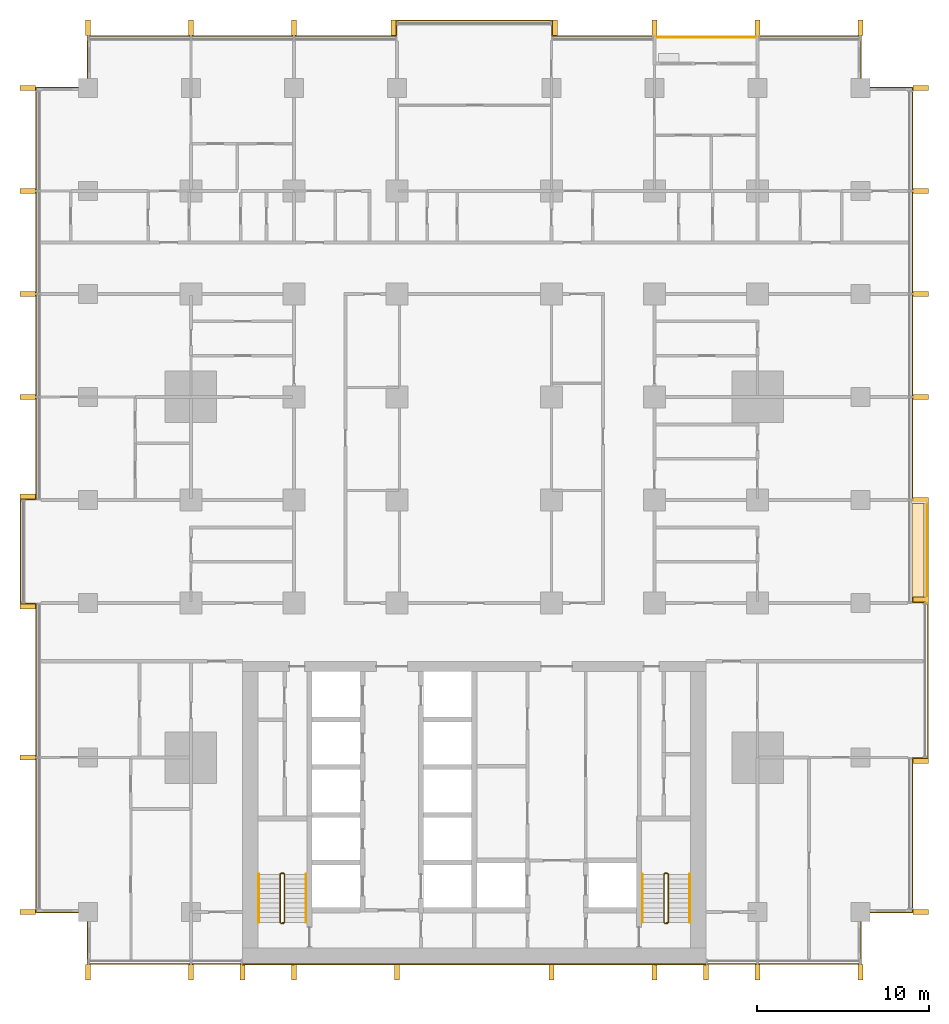
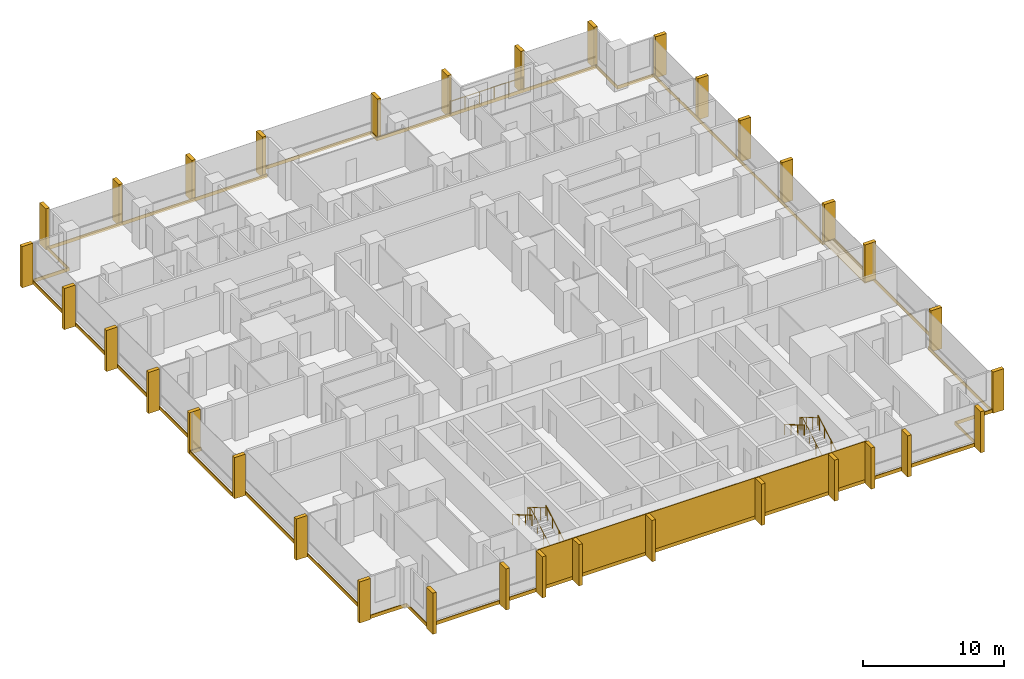
# One storey, part 18 of 18: 34 shading devices, 8 coverings, 7 railings.
"""IFC4 building model written with IfcOpenShell, lengths in metres."""

from ifc_helpers import new_model, si_unit, direction, frame, origin, origin_2d, place, context, subcontext, project, spatial, polyline, rectangle, circle, outline, extrude, material, layer, layer_set, type_object, element, save


model = new_model("IFC4")

# Units and contexts
model_context = context("Model", 3, precision=1e-05, world=origin(), true_north=direction((0.0, 1.0)))
body_context = subcontext(model_context, "Body", "Model", "MODEL_VIEW")
ifc_project = project(units=[si_unit("LENGTHUNIT", "METRE"), si_unit("AREAUNIT", "SQUARE_METRE"), si_unit("VOLUMEUNIT", "CUBIC_METRE"), si_unit("PLANEANGLEUNIT", "RADIAN"), si_unit("MASSUNIT", "GRAM", prefix="KILO")], contexts=[model_context])

# Site, building, storey
site_placement = place(None, origin())
site = spatial("IfcSite", under=ifc_project, at=site_placement, CompositionType="ELEMENT")
building_placement = place(site_placement, origin())
building = spatial("IfcBuilding", under=site, at=building_placement, Name="Finial Court Residences", CompositionType="ELEMENT")
storey_placement = place(building_placement, frame((0.0, 0.0, 46.89990234375)))
storey = spatial("IfcBuildingStorey", under=building, at=storey_placement, Name="L10", CompositionType="ELEMENT", Elevation=46.89990234375)

# Railing
ifc_material_1 = material(Name="Bronze anodised aluminium", Category="aluminium")
railing_type_1 = type_object("IfcRailingType", Name="Balcony guard 1100", PredefinedType="GUARDRAIL", material=ifc_material_1)
railing_1_placement = place(storey_placement, frame((10.5, 28.449951171875, 0.0)))
element("IfcRailing", 1, at=railing_1_placement, inside=storey, type_object=railing_type_1, Name="E-L10-BALN6-R", PredefinedType="GUARDRAIL", context=body_context, shape_type="SweptSolid", body=[
    extrude(circle(Radius=0.02392578125, at=origin_2d()), frame((0.0, 0.0, 1.076171875), z_axis=(1.0, 0.0, 0.0), x_axis=(0.0, 1.0, 0.0)), (0.0, 0.0, 1.0), 6.0),
    extrude(circle(Radius=0.02099609375, at=origin_2d()), origin(), (0.0, 0.0, 1.0), 1.052001953125),
    extrude(circle(Radius=0.02099609375, at=origin_2d()), frame((1.199951171875, 0.0, 0.0)), (0.0, 0.0, 1.0), 1.052001953125),
    extrude(circle(Radius=0.02099609375, at=origin_2d()), frame((2.39990234375, 0.0, 0.0)), (0.0, 0.0, 1.0), 1.052001953125),
    extrude(circle(Radius=0.02099609375, at=origin_2d()), frame((3.60009765625, 0.0, 0.0)), (0.0, 0.0, 1.0), 1.052001953125),
    extrude(circle(Radius=0.02099609375, at=origin_2d()), frame((4.800048828125, 0.0, 0.0)), (0.0, 0.0, 1.0), 1.052001953125),
    extrude(circle(Radius=0.02099609375, at=origin_2d()), frame((6.0, 0.0, 0.0)), (0.0, 0.0, 1.0), 1.052001953125),
])

# Coverings
ifc_material_2 = material(Name="Natural limestone", Category="masonry")
ifc_layer_1 = layer(ifc_material_2, 0.06005859375)
ifc_layer_set_1 = layer_set([ifc_layer_1], Name="Limestone cladding to the blind core face 60")
covering_type_1 = type_object("IfcCoveringType", Name="Limestone cladding to the blind core face 60", PredefinedType="CLADDING", material=ifc_layer_set_1)
covering_1_placement = place(storey_placement, origin())
element("IfcCovering", 2, at=covering_1_placement, inside=storey, type_object=covering_type_1, Name="E-L10-CLAD1", PredefinedType="CLADDING", context=body_context, shape_type="SweptSolid", body=[
    extrude(outline(polyline([(-10.5, -25.56005859375), (-10.5, -25.5), (-13.5, -25.5), (-13.5, -25.56005859375), (-10.5, -25.56005859375)])), origin(), (0.0, 0.0, 1.0), 3.300048828125),
])
covering_2_placement = place(storey_placement, origin())
element("IfcCovering", 3, at=covering_2_placement, inside=storey, type_object=covering_type_1, Name="E-L10-CLAD2", PredefinedType="CLADDING", context=body_context, shape_type="SweptSolid", body=[
    extrude(outline(polyline([(-4.5, -25.56005859375), (-4.5, -25.5), (-10.5, -25.5), (-10.5, -25.56005859375), (-4.5, -25.56005859375)])), origin(), (0.0, 0.0, 1.0), 3.300048828125),
])
covering_3_placement = place(storey_placement, origin())
element("IfcCovering", 4, at=covering_3_placement, inside=storey, type_object=covering_type_1, Name="E-L10-CLAD3", PredefinedType="CLADDING", context=body_context, shape_type="SweptSolid", body=[
    extrude(outline(polyline([(4.5, -25.56005859375), (4.5, -25.5), (-4.5, -25.5), (-4.5, -25.56005859375), (4.5, -25.56005859375)])), origin(), (0.0, 0.0, 1.0), 3.300048828125),
])
covering_4_placement = place(storey_placement, origin())
element("IfcCovering", 5, at=covering_4_placement, inside=storey, type_object=covering_type_1, Name="E-L10-CLAD4", PredefinedType="CLADDING", context=body_context, shape_type="SweptSolid", body=[
    extrude(outline(polyline([(10.5, -25.56005859375), (10.5, -25.5), (4.5, -25.5), (4.5, -25.56005859375), (10.5, -25.56005859375)])), origin(), (0.0, 0.0, 1.0), 3.300048828125),
])
covering_5_placement = place(storey_placement, origin())
element("IfcCovering", 6, at=covering_5_placement, inside=storey, type_object=covering_type_1, Name="E-L10-CLAD5", PredefinedType="CLADDING", context=body_context, shape_type="SweptSolid", body=[
    extrude(outline(polyline([(13.5, -25.56005859375), (13.5, -25.5), (10.5, -25.5), (10.5, -25.56005859375), (13.5, -25.56005859375)])), origin(), (0.0, 0.0, 1.0), 3.300048828125),
])

# Shading devices
shading_device_type = type_object("IfcShadingDeviceType", Name="Limestone fin 300 x 900", PredefinedType="USERDEFINED", material=ifc_material_2)
for number, where, z_axis, x_axis, name in (
    (7, (-22.5, 29.010009765625, -0.300048828125), (0.0, 0.0, 1.0), (1.0, 0.0, 0.0), "E-L10-FIN-N1"),
    (8, (-16.5, 29.010009765625, -0.300048828125), (0.0, 0.0, 1.0), (1.0, 0.0, 0.0), "E-L10-FIN-N2"),
    (9, (-10.5, 29.010009765625, -0.300048828125), (0.0, 0.0, 1.0), (1.0, 0.0, 0.0), "E-L10-FIN-N3"),
    (10, (-4.7099609375, 29.010009765625, -0.300048828125), (0.0, 0.0, 1.0), (1.0, 0.0, 0.0), "E-L10-FIN-N4"),
    (11, (4.7099609375, 29.010009765625, -0.300048828125), (0.0, 0.0, 1.0), (1.0, 0.0, 0.0), "E-L10-FIN-N5"),
    (12, (10.5, 29.010009765625, -0.300048828125), (0.0, 0.0, 1.0), (1.0, 0.0, 0.0), "E-L10-FIN-N6"),
    (13, (16.5, 29.010009765625, -0.300048828125), (0.0, 0.0, 1.0), (1.0, 0.0, 0.0), "E-L10-FIN-N7"),
    (14, (22.5, 29.010009765625, -0.300048828125), (0.0, 0.0, 1.0), (1.0, 0.0, 0.0), "E-L10-FIN-N8"),
):
    element("IfcShadingDevice", number, at=place(storey_placement, frame(where, z_axis=z_axis, x_axis=x_axis)), inside=storey, type_object=shading_device_type, Name=name, ObjectType="FIN", PredefinedType="USERDEFINED", context=body_context, shape_type="SweptSolid", body=[
        extrude(rectangle(XDim=0.300048828125, YDim=0.89990234375, at=origin_2d()), origin(), (0.0, 0.0, 1.0), 3.580078125),
    ])
for number, where, z_axis, x_axis, name in (
    (15, (26.010009765625, -22.5, -0.300048828125), (0.0, 0.0, 1.0), (1.0, 0.0, 0.0), "E-L10-FIN-E9"),
    (16, (26.010009765625, -13.7099609375, -0.300048828125), (0.0, 0.0, 1.0), (1.0, 0.0, 0.0), "E-L10-FIN-E10"),
):
    element("IfcShadingDevice", number, at=place(storey_placement, frame(where, z_axis=z_axis, x_axis=x_axis)), inside=storey, type_object=shading_device_type, Name=name, ObjectType="FIN", PredefinedType="USERDEFINED", context=body_context, shape_type="SweptSolid", body=[
        extrude(rectangle(XDim=0.89990234375, YDim=0.300048828125, at=origin_2d()), origin(), (0.0, 0.0, 1.0), 3.580078125),
    ])
for number, where, z_axis, x_axis, name in (
    (17, (26.010009765625, -4.2900390625, 0.0400390625), (0.0, 0.0, 1.0), (1.0, 0.0, 0.0), "E-L10-FIN-E11"),
    (18, (26.010009765625, 1.5, 0.0400390625), (0.0, 0.0, 1.0), (1.0, 0.0, 0.0), "E-L10-FIN-E12"),
):
    element("IfcShadingDevice", number, at=place(storey_placement, frame(where, z_axis=z_axis, x_axis=x_axis)), inside=storey, type_object=shading_device_type, Name=name, ObjectType="FIN", PredefinedType="USERDEFINED", context=body_context, shape_type="SweptSolid", body=[
        extrude(rectangle(XDim=0.89990234375, YDim=0.300048828125, at=origin_2d()), origin(), (0.0, 0.0, 1.0), 3.239990234375),
    ])
for number, where, z_axis, x_axis, name in (
    (19, (26.010009765625, 7.5, -0.300048828125), (0.0, 0.0, 1.0), (1.0, 0.0, 0.0), "E-L10-FIN-E13"),
    (20, (26.010009765625, 13.5, -0.300048828125), (0.0, 0.0, 1.0), (1.0, 0.0, 0.0), "E-L10-FIN-E14"),
    (21, (26.010009765625, 19.5, -0.300048828125), (0.0, 0.0, 1.0), (1.0, 0.0, 0.0), "E-L10-FIN-E15"),
    (22, (26.010009765625, 25.5, -0.300048828125), (0.0, 0.0, 1.0), (1.0, 0.0, 0.0), "E-L10-FIN-E16"),
):
    element("IfcShadingDevice", number, at=place(storey_placement, frame(where, z_axis=z_axis, x_axis=x_axis)), inside=storey, type_object=shading_device_type, Name=name, ObjectType="FIN", PredefinedType="USERDEFINED", context=body_context, shape_type="SweptSolid", body=[
        extrude(rectangle(XDim=0.89990234375, YDim=0.300048828125, at=origin_2d()), origin(), (0.0, 0.0, 1.0), 3.580078125),
    ])
for number, where, z_axis, x_axis, name in (
    (23, (-22.5, -26.010009765625, -0.300048828125), (0.0, 0.0, 1.0), (1.0, 0.0, 0.0), "E-L10-FIN-S17"),
    (24, (-16.5, -26.010009765625, -0.300048828125), (0.0, 0.0, 1.0), (1.0, 0.0, 0.0), "E-L10-FIN-S18"),
    (25, (-13.5, -26.010009765625, -0.300048828125), (0.0, 0.0, 1.0), (1.0, 0.0, 0.0), "E-L10-FIN-S19"),
    (26, (-10.5, -26.010009765625, -0.300048828125), (0.0, 0.0, 1.0), (1.0, 0.0, 0.0), "E-L10-FIN-S20"),
    (27, (-4.5, -26.010009765625, -0.300048828125), (0.0, 0.0, 1.0), (1.0, 0.0, 0.0), "E-L10-FIN-S21"),
    (28, (4.5, -26.010009765625, -0.300048828125), (0.0, 0.0, 1.0), (1.0, 0.0, 0.0), "E-L10-FIN-S22"),
    (29, (10.5, -26.010009765625, -0.300048828125), (0.0, 0.0, 1.0), (1.0, 0.0, 0.0), "E-L10-FIN-S23"),
    (30, (13.5, -26.010009765625, -0.300048828125), (0.0, 0.0, 1.0), (1.0, 0.0, 0.0), "E-L10-FIN-S24"),
    (31, (16.5, -26.010009765625, -0.300048828125), (0.0, 0.0, 1.0), (1.0, 0.0, 0.0), "E-L10-FIN-S25"),
    (32, (22.5, -26.010009765625, -0.300048828125), (0.0, 0.0, 1.0), (1.0, 0.0, 0.0), "E-L10-FIN-S26"),
):
    element("IfcShadingDevice", number, at=place(storey_placement, frame(where, z_axis=z_axis, x_axis=x_axis)), inside=storey, type_object=shading_device_type, Name=name, ObjectType="FIN", PredefinedType="USERDEFINED", context=body_context, shape_type="SweptSolid", body=[
        extrude(rectangle(XDim=0.300048828125, YDim=0.89990234375, at=origin_2d()), origin(), (0.0, 0.0, 1.0), 3.580078125),
    ])
for number, where, z_axis, x_axis, name in (
    (33, (-26.010009765625, -22.5, -0.300048828125), (0.0, 0.0, 1.0), (1.0, 0.0, 0.0), "E-L10-FIN-W27"),
    (34, (-26.010009765625, -13.5, -0.300048828125), (0.0, 0.0, 1.0), (1.0, 0.0, 0.0), "E-L10-FIN-W28"),
    (35, (-26.010009765625, -4.7099609375, -0.300048828125), (0.0, 0.0, 1.0), (1.0, 0.0, 0.0), "E-L10-FIN-W29"),
    (36, (-26.010009765625, 1.7099609375, -0.300048828125), (0.0, 0.0, 1.0), (1.0, 0.0, 0.0), "E-L10-FIN-W30"),
    (37, (-26.010009765625, 7.5, -0.300048828125), (0.0, 0.0, 1.0), (1.0, 0.0, 0.0), "E-L10-FIN-W31"),
    (38, (-26.010009765625, 13.5, -0.300048828125), (0.0, 0.0, 1.0), (1.0, 0.0, 0.0), "E-L10-FIN-W32"),
    (39, (-26.010009765625, 19.5, -0.300048828125), (0.0, 0.0, 1.0), (1.0, 0.0, 0.0), "E-L10-FIN-W33"),
    (40, (-26.010009765625, 25.5, -0.300048828125), (0.0, 0.0, 1.0), (1.0, 0.0, 0.0), "E-L10-FIN-W34"),
):
    element("IfcShadingDevice", number, at=place(storey_placement, frame(where, z_axis=z_axis, x_axis=x_axis)), inside=storey, type_object=shading_device_type, Name=name, ObjectType="FIN", PredefinedType="USERDEFINED", context=body_context, shape_type="SweptSolid", body=[
        extrude(rectangle(XDim=0.89990234375, YDim=0.300048828125, at=origin_2d()), origin(), (0.0, 0.0, 1.0), 3.580078125),
    ])

# Coverings
ifc_material_3 = material(Name="Pale limestone", Category="masonry")
ifc_layer_2 = layer(ifc_material_3, 0.06005859375)
ifc_layer_set_2 = layer_set([ifc_layer_2], Name="Pale limestone slab-edge band 60")
covering_type_2 = type_object("IfcCoveringType", Name="Pale limestone slab-edge band 60", PredefinedType="CLADDING", material=ifc_layer_set_2)
covering_6_placement = place(storey_placement, frame((0.0, 0.0, -0.2998046875)))
element("IfcCovering", 41, at=covering_6_placement, inside=storey, type_object=covering_type_2, Name="E-L10-BAND1", PredefinedType="CLADDING", context=body_context, shape_type="SweptSolid", body=[
    extrude(outline(polyline([(26.4599609375, -13.56005859375), (25.56005859375, -13.56005859375), (25.56005859375, -22.56005859375), (22.56005859375, -22.56005859375), (22.56005859375, -25.56005859375), (-22.56005859375, -25.56005859375), (-22.56005859375, -22.56005859375), (-25.56005859375, -22.56005859375), (-25.56005859375, -4.56005859375), (-26.4599609375, -4.56005859375), (-26.4599609375, 1.56005859375), (-25.56005859375, 1.56005859375), (-25.56005859375, 25.56005859375), (-22.56005859375, 25.56005859375), (-22.56005859375, 28.56005859375), (-4.56005859375, 28.56005859375), (-4.56005859375, 29.4599609375), (4.56005859375, 29.4599609375), (4.56005859375, 28.56005859375), (22.56005859375, 28.56005859375), (22.56005859375, 25.56005859375), (25.56005859375, 25.56005859375), (25.56005859375, 1.56005859375), (26.4599609375, 1.56005859375), (26.4599609375, -13.56005859375)]), holes=[polyline([(25.5, 1.5), (25.5, 25.5), (22.5, 25.5), (22.5, 28.5), (16.5, 28.5), (10.5, 28.5), (4.5, 28.5), (4.5, 29.39990234375), (-4.5, 29.39990234375), (-4.5, 28.5), (-22.5, 28.5), (-22.5, 25.5), (-25.5, 25.5), (-25.5, 1.5), (-26.39990234375, 1.5), (-26.39990234375, -4.5), (-25.5, -4.5), (-25.5, -22.5), (-22.5, -22.5), (-22.5, -25.5), (22.5, -25.5), (22.5, -22.5), (25.5, -22.5), (25.5, -13.5), (26.39990234375, -13.5), (26.39990234375, -4.5), (26.39990234375, 1.5), (25.5, 1.5)])]), origin(), (0.0, 0.0, 1.0), 0.2998046875),
])
ifc_material_4 = material(Name="Bitumen membrane")
ifc_layer_3 = layer(ifc_material_4, 0.0400390625)
ifc_layer_set_3 = layer_set([ifc_layer_3], Name="Push box roofing, bitumen membrane 40")
covering_type_3 = type_object("IfcCoveringType", Name="Push box roofing, bitumen membrane 40", PredefinedType="ROOFING", material=ifc_layer_set_3)
covering_7_placement = place(storey_placement, origin())
element("IfcCovering", 42, at=covering_7_placement, inside=storey, type_object=covering_type_3, Name="E-L10-LED1", PredefinedType="ROOFING", context=body_context, shape_type="SweptSolid", body=[
    extrude(outline(polyline([(25.5, 1.300048828125), (26.199951171875, 1.300048828125), (26.199951171875, -4.5), (25.5, -4.5), (25.5, 1.300048828125)])), origin(), (0.0, 0.0, 1.0), 0.0400390625),
])
covering_8_placement = place(storey_placement, origin())
element("IfcCovering", 43, at=covering_8_placement, inside=storey, type_object=covering_type_3, Name="E-L10-LED1b", PredefinedType="ROOFING", context=body_context, shape_type="SweptSolid", body=[
    extrude(outline(polyline([(25.5, 1.5), (26.39990234375, 1.5), (26.39990234375, -4.5), (26.35009765625, -4.5), (26.35009765625, 1.300048828125), (26.35009765625, 1.300048828125), (26.35009765625, 1.449951171875), (25.5, 1.449951171875), (25.5, 1.5)])), origin(), (0.0, 0.0, 1.0), 0.0400390625),
])

# Railings
ifc_material_5 = material(Name="Stainless steel railing", Category="steel")
railing_type_2 = type_object("IfcRailingType", Name="Stair guard 1100", PredefinedType="GUARDRAIL", material=ifc_material_5)
railing_2_placement = place(storey_placement, frame((-11.10009765625, -23.14990234375, 0.0)))
element("IfcRailing", 44, at=railing_2_placement, inside=storey, type_object=railing_type_2, Name="L10 ST-1 stair guard 1", PredefinedType="GUARDRAIL", context=body_context, shape_type="SweptSolid", body=[
    extrude(circle(Radius=0.02392578125, at=origin_2d()), frame((0.0, 0.0, 1.076171875), z_axis=(-1.0, 0.0, 0.0), x_axis=(0.0, -1.0, 0.0)), (0.0, 0.0, 1.0), 0.14990234375),
    extrude(circle(Radius=0.02392578125, at=origin_2d()), frame((-0.14990234375, 0.0, 1.076171875), z_axis=(0.759565762229, 0.189195867515, 0.622306015208), x_axis=(-0.241699205484, 0.970351222016, 0.0)), (0.0, 0.0, 1.0), 0.26318359375),
    extrude(circle(Radius=0.02392578125, at=origin_2d()), frame((0.050048828125, 0.0498046875, 1.23974609375), z_axis=(0.0, 0.863393664356, 0.504530851732), x_axis=(-1.0, 0.0, 0.0)), (0.0, 0.0, 1.0), 3.2431640625),
    extrude(circle(Radius=0.02392578125, at=origin_2d()), frame((0.050048828125, 2.849853515625, 2.8759765625), z_axis=(-0.707106781187, 0.707106781187, 0.0), x_axis=(-0.707106781187, -0.707106781187, 0.0)), (0.0, 0.0, 1.0), 0.07080078125),
    extrude(circle(Radius=0.02392578125, at=origin_2d()), frame((0.0, 2.89990234375, 2.8759765625), z_axis=(-1.0, 0.0, 0.0), x_axis=(0.0, -1.0, 0.0)), (0.0, 0.0, 1.0), 0.14990234375),
    extrude(circle(Radius=0.02392578125, at=origin_2d()), frame((-0.14990234375, 2.89990234375, 2.8759765625), z_axis=(-0.280808744504, -0.280808744504, 0.917765164963), x_axis=(0.707106781187, -0.707106781187, 0.0)), (0.0, 0.0, 1.0), 0.17822265625),
    extrude(circle(Radius=0.02392578125, at=origin_2d()), frame((-0.199951171875, 2.849853515625, 3.03955078125), z_axis=(0.0, -0.863360870873, 0.504586966384), x_axis=(1.0, 0.0, 0.0)), (0.0, 0.0, 1.0), 3.2431640625),
    extrude(circle(Radius=0.02099609375, at=origin_2d()), origin(), (0.0, 0.0, 1.0), 1.052001953125),
    extrude(circle(Radius=0.02099609375, at=origin_2d()), frame((-0.14990234375, 0.0, 0.0)), (0.0, 0.0, 1.0), 1.052001953125),
    extrude(circle(Radius=0.02099609375, at=origin_2d()), frame((0.050048828125, 0.0498046875, 0.163818359375)), (0.0, 0.0, 1.0), 1.052001953125),
    extrude(circle(Radius=0.02099609375, at=origin_2d()), frame((0.050048828125, 0.983154296875, 0.709228515625)), (0.0, 0.0, 1.0), 1.052001953125),
    extrude(circle(Radius=0.02099609375, at=origin_2d()), frame((0.050048828125, 1.91650390625, 1.254638671875)), (0.0, 0.0, 1.0), 1.052001953125),
    extrude(circle(Radius=0.02099609375, at=origin_2d()), frame((0.050048828125, 2.849853515625, 1.800048828125)), (0.0, 0.0, 1.0), 1.052001953125),
    extrude(circle(Radius=0.02099609375, at=origin_2d()), frame((0.0, 2.89990234375, 1.800048828125)), (0.0, 0.0, 1.0), 1.052001953125),
    extrude(circle(Radius=0.02099609375, at=origin_2d()), frame((-0.14990234375, 2.89990234375, 1.800048828125)), (0.0, 0.0, 1.0), 1.052001953125),
    extrude(circle(Radius=0.02099609375, at=origin_2d()), frame((-0.199951171875, 2.849853515625, 1.963623046875)), (0.0, 0.0, 1.0), 1.052001953125),
    extrude(circle(Radius=0.02099609375, at=origin_2d()), frame((-0.199951171875, 1.91650390625, 2.509033203125)), (0.0, 0.0, 1.0), 1.052001953125),
    extrude(circle(Radius=0.02099609375, at=origin_2d()), frame((-0.199951171875, 0.983154296875, 3.0546875)), (0.0, 0.0, 1.0), 1.052001953125),
    extrude(circle(Radius=0.02099609375, at=origin_2d()), frame((-0.199951171875, 0.0498046875, 3.60009765625)), (0.0, 0.0, 1.0), 1.052001953125),
])
railing_3_placement = place(storey_placement, frame((11.25, -23.14990234375, 0.0)))
element("IfcRailing", 45, at=railing_3_placement, inside=storey, type_object=railing_type_2, Name="L10 ST-2 stair guard 1", PredefinedType="GUARDRAIL", context=body_context, shape_type="SweptSolid", body=[
    extrude(circle(Radius=0.02392578125, at=origin_2d()), frame((0.0, 0.0, 1.076171875), z_axis=(-1.0, 0.0, 0.0), x_axis=(0.0, -1.0, 0.0)), (0.0, 0.0, 1.0), 0.14990234375),
    extrude(circle(Radius=0.02392578125, at=origin_2d()), frame((-0.14990234375, 0.0, 1.076171875), z_axis=(0.759565762229, 0.189195867515, 0.622306015208), x_axis=(-0.241699205484, 0.970351222016, 0.0)), (0.0, 0.0, 1.0), 0.26318359375),
    extrude(circle(Radius=0.02392578125, at=origin_2d()), frame((0.050048828125, 0.0498046875, 1.23974609375), z_axis=(0.0, 0.863393664356, 0.504530851732), x_axis=(-1.0, 0.0, 0.0)), (0.0, 0.0, 1.0), 3.2431640625),
    extrude(circle(Radius=0.02392578125, at=origin_2d()), frame((0.050048828125, 2.849853515625, 2.8759765625), z_axis=(-0.707106781187, 0.707106781187, 0.0), x_axis=(-0.707106781187, -0.707106781187, 0.0)), (0.0, 0.0, 1.0), 0.07080078125),
    extrude(circle(Radius=0.02392578125, at=origin_2d()), frame((0.0, 2.89990234375, 2.8759765625), z_axis=(-1.0, 0.0, 0.0), x_axis=(0.0, -1.0, 0.0)), (0.0, 0.0, 1.0), 0.14990234375),
    extrude(circle(Radius=0.02392578125, at=origin_2d()), frame((-0.14990234375, 2.89990234375, 2.8759765625), z_axis=(-0.280808744504, -0.280808744504, 0.917765164963), x_axis=(0.707106781187, -0.707106781187, 0.0)), (0.0, 0.0, 1.0), 0.17822265625),
    extrude(circle(Radius=0.02392578125, at=origin_2d()), frame((-0.199951171875, 2.849853515625, 3.03955078125), z_axis=(0.0, -0.863360870873, 0.504586966384), x_axis=(1.0, 0.0, 0.0)), (0.0, 0.0, 1.0), 3.2431640625),
    extrude(circle(Radius=0.02099609375, at=origin_2d()), origin(), (0.0, 0.0, 1.0), 1.052001953125),
    extrude(circle(Radius=0.02099609375, at=origin_2d()), frame((-0.14990234375, 0.0, 0.0)), (0.0, 0.0, 1.0), 1.052001953125),
    extrude(circle(Radius=0.02099609375, at=origin_2d()), frame((0.050048828125, 0.0498046875, 0.163818359375)), (0.0, 0.0, 1.0), 1.052001953125),
    extrude(circle(Radius=0.02099609375, at=origin_2d()), frame((0.050048828125, 0.983154296875, 0.709228515625)), (0.0, 0.0, 1.0), 1.052001953125),
    extrude(circle(Radius=0.02099609375, at=origin_2d()), frame((0.050048828125, 1.91650390625, 1.254638671875)), (0.0, 0.0, 1.0), 1.052001953125),
    extrude(circle(Radius=0.02099609375, at=origin_2d()), frame((0.050048828125, 2.849853515625, 1.800048828125)), (0.0, 0.0, 1.0), 1.052001953125),
    extrude(circle(Radius=0.02099609375, at=origin_2d()), frame((0.0, 2.89990234375, 1.800048828125)), (0.0, 0.0, 1.0), 1.052001953125),
    extrude(circle(Radius=0.02099609375, at=origin_2d()), frame((-0.14990234375, 2.89990234375, 1.800048828125)), (0.0, 0.0, 1.0), 1.052001953125),
    extrude(circle(Radius=0.02099609375, at=origin_2d()), frame((-0.199951171875, 2.849853515625, 1.963623046875)), (0.0, 0.0, 1.0), 1.052001953125),
    extrude(circle(Radius=0.02099609375, at=origin_2d()), frame((-0.199951171875, 1.91650390625, 2.509033203125)), (0.0, 0.0, 1.0), 1.052001953125),
    extrude(circle(Radius=0.02099609375, at=origin_2d()), frame((-0.199951171875, 0.983154296875, 3.0546875)), (0.0, 0.0, 1.0), 1.052001953125),
    extrude(circle(Radius=0.02099609375, at=origin_2d()), frame((-0.199951171875, 0.0498046875, 3.60009765625)), (0.0, 0.0, 1.0), 1.052001953125),
])
railing_type_3 = type_object("IfcRailingType", Name="Stair handrail 900", PredefinedType="HANDRAIL", material=ifc_material_5)
railing_4_placement = place(storey_placement, frame((-9.800048828125, -23.10009765625, 0.163818359375)))
element("IfcRailing", 46, at=railing_4_placement, inside=storey, type_object=railing_type_3, Name="L10 ST-1 stair handrail 1", PredefinedType="HANDRAIL", context=body_context, shape_type="SweptSolid", body=[
    extrude(circle(Radius=0.02392578125, at=origin_2d()), frame((0.0, 0.0, 0.8759765625), z_axis=(0.0, 0.863393664356, 0.504530851732), x_axis=(-1.0, 0.0, 0.0)), (0.0, 0.0, 1.0), 3.2431640625),
    extrude(circle(Radius=0.02099609375, at=origin_2d()), origin(), (0.0, 0.0, 1.0), 0.851806640625),
    extrude(circle(Radius=0.02099609375, at=origin_2d()), frame((0.0, 0.933349609375, 0.54541015625)), (0.0, 0.0, 1.0), 0.851806640625),
    extrude(circle(Radius=0.02099609375, at=origin_2d()), frame((0.0, 1.86669921875, 1.0908203125)), (0.0, 0.0, 1.0), 0.851806640625),
    extrude(circle(Radius=0.02099609375, at=origin_2d()), frame((0.0, 2.800048828125, 1.63623046875)), (0.0, 0.0, 1.0), 0.851806640625),
])
railing_5_placement = place(storey_placement, frame((-12.550048828125, -20.300048828125, 1.963623046875)))
element("IfcRailing", 47, at=railing_5_placement, inside=storey, type_object=railing_type_3, Name="L10 ST-1 stair handrail 2", PredefinedType="HANDRAIL", context=body_context, shape_type="SweptSolid", body=[
    extrude(circle(Radius=0.02392578125, at=origin_2d()), frame((0.0, 0.0, 0.8759765625), z_axis=(0.0, -0.863360870873, 0.504586966384), x_axis=(1.0, 0.0, 0.0)), (0.0, 0.0, 1.0), 3.2431640625),
    extrude(circle(Radius=0.02099609375, at=origin_2d()), origin(), (0.0, 0.0, 1.0), 0.851806640625),
    extrude(circle(Radius=0.02099609375, at=origin_2d()), frame((0.0, -0.933349609375, 0.54541015625)), (0.0, 0.0, 1.0), 0.851806640625),
    extrude(circle(Radius=0.02099609375, at=origin_2d()), frame((0.0, -1.86669921875, 1.091064453125)), (0.0, 0.0, 1.0), 0.851806640625),
    extrude(circle(Radius=0.02099609375, at=origin_2d()), frame((0.0, -2.800048828125, 1.636474609375)), (0.0, 0.0, 1.0), 0.851806640625),
])
railing_6_placement = place(storey_placement, frame((12.550048828125, -23.10009765625, 0.163818359375)))
element("IfcRailing", 48, at=railing_6_placement, inside=storey, type_object=railing_type_3, Name="L10 ST-2 stair handrail 1", PredefinedType="HANDRAIL", context=body_context, shape_type="SweptSolid", body=[
    extrude(circle(Radius=0.02392578125, at=origin_2d()), frame((0.0, 0.0, 0.8759765625), z_axis=(0.0, 0.863393664356, 0.504530851732), x_axis=(-1.0, 0.0, 0.0)), (0.0, 0.0, 1.0), 3.2431640625),
    extrude(circle(Radius=0.02099609375, at=origin_2d()), origin(), (0.0, 0.0, 1.0), 0.851806640625),
    extrude(circle(Radius=0.02099609375, at=origin_2d()), frame((0.0, 0.933349609375, 0.54541015625)), (0.0, 0.0, 1.0), 0.851806640625),
    extrude(circle(Radius=0.02099609375, at=origin_2d()), frame((0.0, 1.86669921875, 1.0908203125)), (0.0, 0.0, 1.0), 0.851806640625),
    extrude(circle(Radius=0.02099609375, at=origin_2d()), frame((0.0, 2.800048828125, 1.63623046875)), (0.0, 0.0, 1.0), 0.851806640625),
])
railing_7_placement = place(storey_placement, frame((9.800048828125, -20.300048828125, 1.963623046875)))
element("IfcRailing", 49, at=railing_7_placement, inside=storey, type_object=railing_type_3, Name="L10 ST-2 stair handrail 2", PredefinedType="HANDRAIL", context=body_context, shape_type="SweptSolid", body=[
    extrude(circle(Radius=0.02392578125, at=origin_2d()), frame((0.0, 0.0, 0.8759765625), z_axis=(0.0, -0.863360870873, 0.504586966384), x_axis=(1.0, 0.0, 0.0)), (0.0, 0.0, 1.0), 3.2431640625),
    extrude(circle(Radius=0.02099609375, at=origin_2d()), origin(), (0.0, 0.0, 1.0), 0.851806640625),
    extrude(circle(Radius=0.02099609375, at=origin_2d()), frame((0.0, -0.933349609375, 0.54541015625)), (0.0, 0.0, 1.0), 0.851806640625),
    extrude(circle(Radius=0.02099609375, at=origin_2d()), frame((0.0, -1.86669921875, 1.091064453125)), (0.0, 0.0, 1.0), 0.851806640625),
    extrude(circle(Radius=0.02099609375, at=origin_2d()), frame((0.0, -2.800048828125, 1.636474609375)), (0.0, 0.0, 1.0), 0.851806640625),
])

save(model, "model.ifc")
